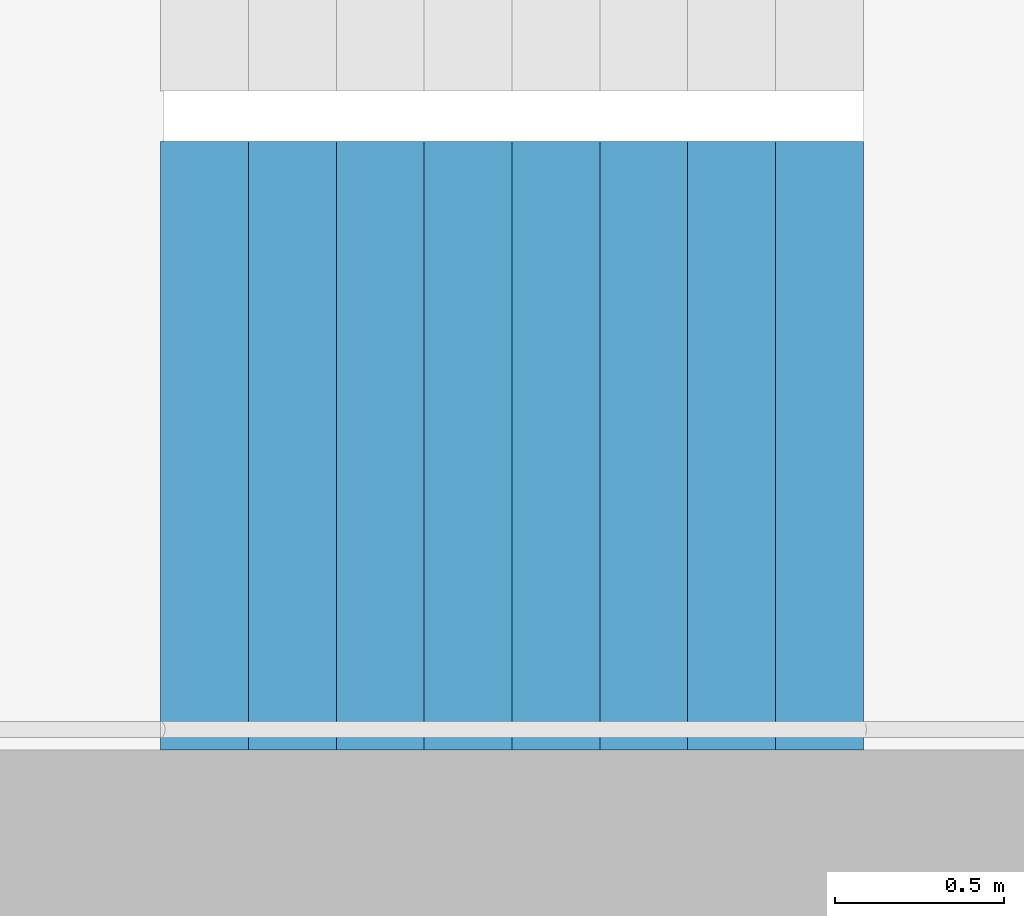
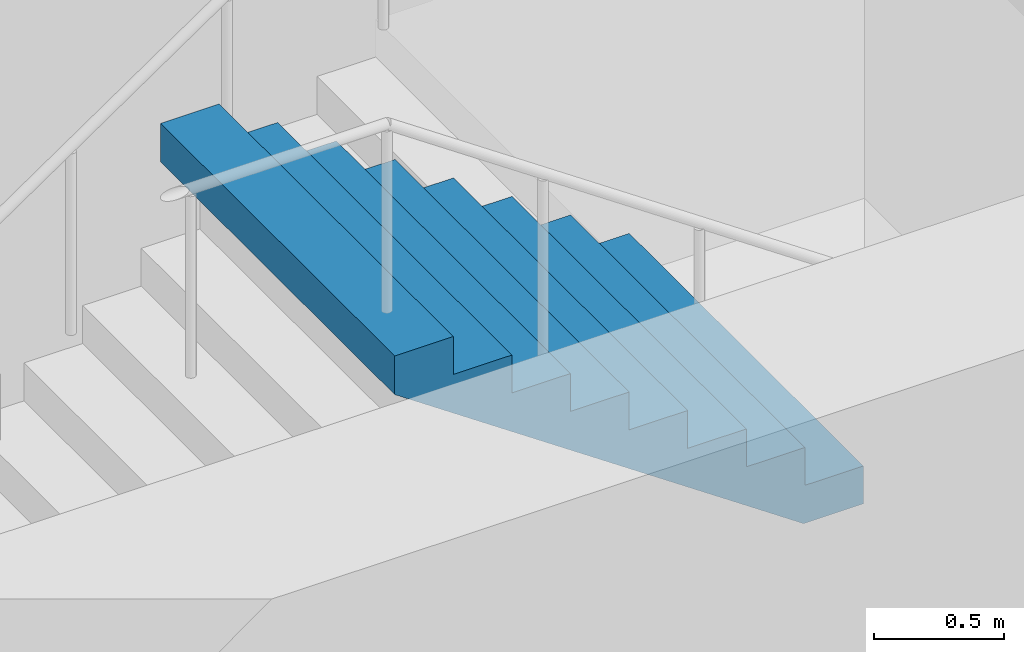
# One storey, part 24 of 35: 1 stair flight, 1 element without a shape of its own.
"""IFC4 building model written with IfcOpenShell, lengths in metres."""

from ifc_helpers import new_model, si_unit, direction, frame, origin, place, context, subcontext, project, spatial, triangles, material, type_object, element, aggregate, save


model = new_model("IFC4")

# Units and contexts
model_context = context("Model", 3, precision=1e-05, world=origin(), true_north=direction((0.0, 1.0)))
body_context = subcontext(model_context, "Body", "Model", "MODEL_VIEW")
ifc_project = project(units=[si_unit("LENGTHUNIT", "METRE"), si_unit("AREAUNIT", "SQUARE_METRE"), si_unit("VOLUMEUNIT", "CUBIC_METRE"), si_unit("PLANEANGLEUNIT", "RADIAN"), si_unit("MASSUNIT", "GRAM", prefix="KILO")], contexts=[model_context])

# Site, building, storey
site_placement = place(None, origin())
site = spatial("IfcSite", under=ifc_project, at=site_placement, CompositionType="ELEMENT")
building_placement = place(site_placement, origin())
building = spatial("IfcBuilding", under=site, at=building_placement, Name="Hakoniwa Tower and Hamabe Station Hall", CompositionType="ELEMENT")
storey_placement = place(building_placement, frame((0.0, 0.0, 51.800048828125)))
storey = spatial("IfcBuildingStorey", under=building, at=storey_placement, Name="L14", CompositionType="ELEMENT", Elevation=51.800048828125)

# Stair, stair flight
ifc_material_1 = material(Name="Concrete C40", Category="concrete")
stair_type = type_object("IfcStairType", Name="ESCAPE STAIR 1800", PredefinedType="HALF_TURN_STAIR", material=ifc_material_1)
stair_placement = place(storey_placement, origin())
stair = element("IfcStair", 1, at=stair_placement, inside=storey, type_object=stair_type, Name="Escape stair ST-4 L14", PredefinedType="HALF_TURN_STAIR")
ifc_material_2 = material(Name="Concrete C40", Category="concrete")
stair_flight_type = type_object("IfcStairFlightType", Name="STAIR FLIGHT 1800", PredefinedType="STRAIGHT", material=ifc_material_2)
stair_flight_placement = place(storey_placement, frame((25.47998046875, -6.60009765625, 1.599853515625), z_axis=(0.0, 0.0, 1.0), x_axis=(-1.0, 0.0, 0.0)))
stair_flight = element("IfcStairFlight", 2, at=stair_flight_placement, type_object=stair_flight_type, Name="ST-4 flight 2", NumberOfRisers=9, NumberOfTreads=8, PredefinedType="STRAIGHT", RiserHeight=0.177777778, TreadLength=0.26, context=body_context, shape_type="Tessellation", body=[
    triangles([(0.0, 0.89990234375, 0.0), (0.260009765625, 0.89990234375, 0.0), (0.265625, 0.89990234375, 0.0), (0.52001953125, 0.89990234375, 0.174072265625), (0.780029296875, 0.89990234375, 0.351806640625), (1.0400390625, 0.89990234375, 0.529541015625), (1.300048828125, 0.89990234375, 0.707275390625), (1.56005859375, 0.89990234375, 0.885009765625), (1.820068359375, 0.89990234375, 1.062744140625), (2.080078125, 0.89990234375, 1.24072265625), (2.080078125, 0.89990234375, 1.422119140625), (1.820068359375, 0.89990234375, 1.422119140625), (1.820068359375, 0.89990234375, 1.244384765625), (1.56005859375, 0.89990234375, 1.244384765625), (1.56005859375, 0.89990234375, 1.066650390625), (1.300048828125, 0.89990234375, 1.066650390625), (1.300048828125, 0.89990234375, 0.888916015625), (1.0400390625, 0.89990234375, 0.888916015625), (1.0400390625, 0.89990234375, 0.711181640625), (0.780029296875, 0.89990234375, 0.711181640625), (0.780029296875, 0.89990234375, 0.533447265625), (0.52001953125, 0.89990234375, 0.533447265625), (0.52001953125, 0.89990234375, 0.35546875), (0.265625, 0.89990234375, 0.35546875), (0.260009765625, 0.89990234375, 0.35546875), (0.260009765625, 0.89990234375, 0.177734375), (0.0, 0.89990234375, 0.177734375), (0.0, 0.06005859375, 0.0), (0.260009765625, 0.06005859375, 0.0), (0.265625, 0.06005859375, 0.0), (0.52001953125, 0.06005859375, 0.174072265625), (0.780029296875, 0.06005859375, 0.351806640625), (1.0400390625, 0.06005859375, 0.529541015625), (1.300048828125, 0.06005859375, 0.707275390625), (1.56005859375, 0.06005859375, 0.885009765625), (1.820068359375, 0.06005859375, 1.062744140625), (2.080078125, 0.06005859375, 1.24072265625), (2.080078125, 0.06005859375, 1.422119140625), (1.820068359375, 0.06005859375, 1.422119140625), (1.820068359375, 0.06005859375, 1.244384765625), (1.56005859375, 0.06005859375, 1.244384765625), (1.56005859375, 0.06005859375, 1.066650390625), (1.300048828125, 0.06005859375, 1.066650390625), (1.300048828125, 0.06005859375, 0.888916015625), (1.0400390625, 0.06005859375, 0.888916015625), (1.0400390625, 0.06005859375, 0.711181640625), (0.780029296875, 0.06005859375, 0.711181640625), (0.780029296875, 0.06005859375, 0.533447265625), (0.52001953125, 0.06005859375, 0.533447265625), (0.52001953125, 0.06005859375, 0.35546875), (0.265625, 0.06005859375, 0.35546875), (0.260009765625, 0.06005859375, 0.35546875), (0.260009765625, 0.06005859375, 0.177734375), (0.0, 0.06005859375, 0.177734375), (0.0, 0.04296875, 0.0), (0.260009765625, 0.04296875, 0.0), (0.265625, 0.04296875, 0.0), (0.52001953125, 0.04296875, 0.174072265625), (0.780029296875, 0.04296875, 0.351806640625), (1.0400390625, 0.04296875, 0.529541015625), (1.300048828125, 0.04296875, 0.707275390625), (1.56005859375, 0.04296875, 0.885009765625), (1.820068359375, 0.04296875, 1.062744140625), (2.080078125, 0.04296875, 1.24072265625), (2.080078125, 0.04296875, 1.422119140625), (1.820068359375, 0.04296875, 1.422119140625), (1.820068359375, 0.04296875, 1.244384765625), (1.56005859375, 0.04296875, 1.244384765625), (1.56005859375, 0.04296875, 1.066650390625), (1.300048828125, 0.04296875, 1.066650390625), (1.300048828125, 0.04296875, 0.888916015625), (1.0400390625, 0.04296875, 0.888916015625), (1.0400390625, 0.04296875, 0.711181640625), (0.780029296875, 0.04296875, 0.711181640625), (0.780029296875, 0.04296875, 0.533447265625), (0.52001953125, 0.04296875, 0.533447265625), (0.52001953125, 0.04296875, 0.35546875), (0.265625, 0.04296875, 0.35546875), (0.260009765625, 0.04296875, 0.35546875), (0.260009765625, 0.04296875, 0.177734375), (0.0, 0.04296875, 0.177734375), (0.0, 0.025634765625, 0.0), (0.260009765625, 0.025634765625, 0.0), (0.265625, 0.025634765625, 0.0), (0.52001953125, 0.025634765625, 0.174072265625), (0.780029296875, 0.025634765625, 0.351806640625), (1.0400390625, 0.025634765625, 0.529541015625), (1.300048828125, 0.025634765625, 0.707275390625), (1.56005859375, 0.025634765625, 0.885009765625), (1.820068359375, 0.025634765625, 1.062744140625), (2.080078125, 0.025634765625, 1.24072265625), (2.080078125, 0.025634765625, 1.422119140625), (1.820068359375, 0.025634765625, 1.422119140625), (1.820068359375, 0.025634765625, 1.244384765625), (1.56005859375, 0.025634765625, 1.244384765625), (1.56005859375, 0.025634765625, 1.066650390625), (1.300048828125, 0.025634765625, 1.066650390625), (1.300048828125, 0.025634765625, 0.888916015625), (1.0400390625, 0.025634765625, 0.888916015625), (1.0400390625, 0.025634765625, 0.711181640625), (0.780029296875, 0.025634765625, 0.711181640625), (0.780029296875, 0.025634765625, 0.533447265625), (0.52001953125, 0.025634765625, 0.533447265625), (0.52001953125, 0.025634765625, 0.35546875), (0.265625, 0.025634765625, 0.35546875), (0.260009765625, 0.025634765625, 0.35546875), (0.260009765625, 0.025634765625, 0.177734375), (0.0, 0.025634765625, 0.177734375), (0.0, 0.008544921875, 0.0), (0.260009765625, 0.008544921875, 0.0), (0.265625, 0.008544921875, 0.0), (0.52001953125, 0.008544921875, 0.174072265625), (0.780029296875, 0.008544921875, 0.351806640625), (1.0400390625, 0.008544921875, 0.529541015625), (1.300048828125, 0.008544921875, 0.707275390625), (1.56005859375, 0.008544921875, 0.885009765625), (1.820068359375, 0.008544921875, 1.062744140625), (2.080078125, 0.008544921875, 1.24072265625), (2.080078125, 0.008544921875, 1.422119140625), (1.820068359375, 0.008544921875, 1.422119140625), (1.820068359375, 0.008544921875, 1.244384765625), (1.56005859375, 0.008544921875, 1.244384765625), (1.56005859375, 0.008544921875, 1.066650390625), (1.300048828125, 0.008544921875, 1.066650390625), (1.300048828125, 0.008544921875, 0.888916015625), (1.0400390625, 0.008544921875, 0.888916015625), (1.0400390625, 0.008544921875, 0.711181640625), (0.780029296875, 0.008544921875, 0.711181640625), (0.780029296875, 0.008544921875, 0.533447265625), (0.52001953125, 0.008544921875, 0.533447265625), (0.52001953125, 0.008544921875, 0.35546875), (0.265625, 0.008544921875, 0.35546875), (0.260009765625, 0.008544921875, 0.35546875), (0.260009765625, 0.008544921875, 0.177734375), (0.0, 0.008544921875, 0.177734375), (0.0, -0.008544921875, 0.0), (0.260009765625, -0.008544921875, 0.0), (0.265625, -0.008544921875, 0.0), (0.52001953125, -0.008544921875, 0.174072265625), (0.780029296875, -0.008544921875, 0.351806640625), (1.0400390625, -0.008544921875, 0.529541015625), (1.300048828125, -0.008544921875, 0.707275390625), (1.56005859375, -0.008544921875, 0.885009765625), (1.820068359375, -0.008544921875, 1.062744140625), (2.080078125, -0.008544921875, 1.24072265625), (2.080078125, -0.008544921875, 1.422119140625), (1.820068359375, -0.008544921875, 1.422119140625), (1.820068359375, -0.008544921875, 1.244384765625), (1.56005859375, -0.008544921875, 1.244384765625), (1.56005859375, -0.008544921875, 1.066650390625), (1.300048828125, -0.008544921875, 1.066650390625), (1.300048828125, -0.008544921875, 0.888916015625), (1.0400390625, -0.008544921875, 0.888916015625), (1.0400390625, -0.008544921875, 0.711181640625), (0.780029296875, -0.008544921875, 0.711181640625), (0.780029296875, -0.008544921875, 0.533447265625), (0.52001953125, -0.008544921875, 0.533447265625), (0.52001953125, -0.008544921875, 0.35546875), (0.265625, -0.008544921875, 0.35546875), (0.260009765625, -0.008544921875, 0.35546875), (0.260009765625, -0.008544921875, 0.177734375), (0.0, -0.008544921875, 0.177734375), (0.0, -0.025634765625, 0.0), (0.260009765625, -0.025634765625, 0.0), (0.265625, -0.025634765625, 0.0), (0.52001953125, -0.025634765625, 0.174072265625), (0.780029296875, -0.025634765625, 0.351806640625), (1.0400390625, -0.025634765625, 0.529541015625), (1.300048828125, -0.025634765625, 0.707275390625), (1.56005859375, -0.025634765625, 0.885009765625), (1.820068359375, -0.025634765625, 1.062744140625), (2.080078125, -0.025634765625, 1.24072265625), (2.080078125, -0.025634765625, 1.422119140625), (1.820068359375, -0.025634765625, 1.422119140625), (1.820068359375, -0.025634765625, 1.244384765625), (1.56005859375, -0.025634765625, 1.244384765625), (1.56005859375, -0.025634765625, 1.066650390625), (1.300048828125, -0.025634765625, 1.066650390625), (1.300048828125, -0.025634765625, 0.888916015625), (1.0400390625, -0.025634765625, 0.888916015625), (1.0400390625, -0.025634765625, 0.711181640625), (0.780029296875, -0.025634765625, 0.711181640625), (0.780029296875, -0.025634765625, 0.533447265625), (0.52001953125, -0.025634765625, 0.533447265625), (0.52001953125, -0.025634765625, 0.35546875), (0.265625, -0.025634765625, 0.35546875), (0.260009765625, -0.025634765625, 0.35546875), (0.260009765625, -0.025634765625, 0.177734375), (0.0, -0.025634765625, 0.177734375), (0.0, -0.04296875, 0.0), (0.260009765625, -0.04296875, 0.0), (0.265625, -0.04296875, 0.0), (0.52001953125, -0.04296875, 0.174072265625), (0.780029296875, -0.04296875, 0.351806640625), (1.0400390625, -0.04296875, 0.529541015625), (1.300048828125, -0.04296875, 0.707275390625), (1.56005859375, -0.04296875, 0.885009765625), (1.820068359375, -0.04296875, 1.062744140625), (2.080078125, -0.04296875, 1.24072265625), (2.080078125, -0.04296875, 1.422119140625), (1.820068359375, -0.04296875, 1.422119140625), (1.820068359375, -0.04296875, 1.244384765625), (1.56005859375, -0.04296875, 1.244384765625), (1.56005859375, -0.04296875, 1.066650390625), (1.300048828125, -0.04296875, 1.066650390625), (1.300048828125, -0.04296875, 0.888916015625), (1.0400390625, -0.04296875, 0.888916015625), (1.0400390625, -0.04296875, 0.711181640625), (0.780029296875, -0.04296875, 0.711181640625), (0.780029296875, -0.04296875, 0.533447265625), (0.52001953125, -0.04296875, 0.533447265625), (0.52001953125, -0.04296875, 0.35546875), (0.265625, -0.04296875, 0.35546875), (0.260009765625, -0.04296875, 0.35546875), (0.260009765625, -0.04296875, 0.177734375), (0.0, -0.04296875, 0.177734375), (0.0, -0.06005859375, 0.0), (0.260009765625, -0.06005859375, 0.0), (0.265625, -0.06005859375, 0.0), (0.52001953125, -0.06005859375, 0.174072265625), (0.780029296875, -0.06005859375, 0.351806640625), (1.0400390625, -0.06005859375, 0.529541015625), (1.300048828125, -0.06005859375, 0.707275390625), (1.56005859375, -0.06005859375, 0.885009765625), (1.820068359375, -0.06005859375, 1.062744140625), (2.080078125, -0.06005859375, 1.24072265625), (2.080078125, -0.06005859375, 1.422119140625), (1.820068359375, -0.06005859375, 1.422119140625), (1.820068359375, -0.06005859375, 1.244384765625), (1.56005859375, -0.06005859375, 1.244384765625), (1.56005859375, -0.06005859375, 1.066650390625), (1.300048828125, -0.06005859375, 1.066650390625), (1.300048828125, -0.06005859375, 0.888916015625), (1.0400390625, -0.06005859375, 0.888916015625), (1.0400390625, -0.06005859375, 0.711181640625), (0.780029296875, -0.06005859375, 0.711181640625), (0.780029296875, -0.06005859375, 0.533447265625), (0.52001953125, -0.06005859375, 0.533447265625), (0.52001953125, -0.06005859375, 0.35546875), (0.265625, -0.06005859375, 0.35546875), (0.260009765625, -0.06005859375, 0.35546875), (0.260009765625, -0.06005859375, 0.177734375), (0.0, -0.06005859375, 0.177734375), (0.0, -0.89990234375, 0.0), (0.260009765625, -0.89990234375, 0.0), (0.265625, -0.89990234375, 0.0), (0.52001953125, -0.89990234375, 0.174072265625), (0.780029296875, -0.89990234375, 0.351806640625), (1.0400390625, -0.89990234375, 0.529541015625), (1.300048828125, -0.89990234375, 0.707275390625), (1.56005859375, -0.89990234375, 0.885009765625), (1.820068359375, -0.89990234375, 1.062744140625), (2.080078125, -0.89990234375, 1.24072265625), (2.080078125, -0.89990234375, 1.422119140625), (1.820068359375, -0.89990234375, 1.422119140625), (1.820068359375, -0.89990234375, 1.244384765625), (1.56005859375, -0.89990234375, 1.244384765625), (1.56005859375, -0.89990234375, 1.066650390625), (1.300048828125, -0.89990234375, 1.066650390625), (1.300048828125, -0.89990234375, 0.888916015625), (1.0400390625, -0.89990234375, 0.888916015625), (1.0400390625, -0.89990234375, 0.711181640625), (0.780029296875, -0.89990234375, 0.711181640625), (0.780029296875, -0.89990234375, 0.533447265625), (0.52001953125, -0.89990234375, 0.533447265625), (0.52001953125, -0.89990234375, 0.35546875), (0.265625, -0.89990234375, 0.35546875), (0.260009765625, -0.89990234375, 0.35546875), (0.260009765625, -0.89990234375, 0.177734375), (0.0, -0.89990234375, 0.177734375)], [[2, 27, 26], [245, 269, 270], [2, 1, 27], [245, 270, 244], [3, 25, 24], [246, 267, 268], [3, 26, 25], [246, 268, 269], [3, 2, 26], [246, 269, 245], [4, 24, 23], [247, 266, 267], [4, 3, 24], [247, 267, 246], [5, 22, 21], [248, 264, 265], [5, 23, 22], [248, 265, 266], [5, 4, 23], [248, 266, 247], [6, 20, 19], [249, 262, 263], [6, 21, 20], [249, 263, 264], [6, 5, 21], [249, 264, 248], [7, 18, 17], [250, 260, 261], [7, 19, 18], [250, 261, 262], [7, 6, 19], [250, 262, 249], [8, 16, 15], [251, 258, 259], [8, 17, 16], [251, 259, 260], [8, 7, 17], [251, 260, 250], [9, 14, 13], [252, 256, 257], [9, 15, 14], [252, 257, 258], [9, 8, 15], [252, 258, 251], [10, 12, 11], [253, 254, 255], [10, 13, 12], [253, 255, 256], [10, 9, 13], [253, 256, 252], [1, 2, 29], [1, 29, 28], [28, 29, 56], [28, 56, 55], [55, 56, 83], [55, 83, 82], [82, 83, 110], [82, 110, 109], [109, 110, 137], [109, 137, 136], [136, 137, 164], [136, 164, 163], [163, 164, 191], [163, 191, 190], [190, 191, 218], [190, 218, 217], [217, 218, 245], [217, 245, 244], [2, 3, 30], [2, 30, 29], [29, 30, 57], [29, 57, 56], [56, 57, 84], [56, 84, 83], [83, 84, 111], [83, 111, 110], [110, 111, 138], [110, 138, 137], [137, 138, 165], [137, 165, 164], [164, 165, 192], [164, 192, 191], [191, 192, 219], [191, 219, 218], [218, 219, 246], [218, 246, 245], [3, 4, 31], [3, 31, 30], [30, 31, 58], [30, 58, 57], [57, 58, 85], [57, 85, 84], [84, 85, 112], [84, 112, 111], [111, 112, 139], [111, 139, 138], [138, 139, 166], [138, 166, 165], [165, 166, 193], [165, 193, 192], [192, 193, 220], [192, 220, 219], [219, 220, 247], [219, 247, 246], [4, 5, 32], [4, 32, 31], [31, 32, 59], [31, 59, 58], [58, 59, 86], [58, 86, 85], [85, 86, 113], [85, 113, 112], [112, 113, 140], [112, 140, 139], [139, 140, 167], [139, 167, 166], [166, 167, 194], [166, 194, 193], [193, 194, 221], [193, 221, 220], [220, 221, 248], [220, 248, 247], [5, 6, 33], [5, 33, 32], [32, 33, 60], [32, 60, 59], [59, 60, 87], [59, 87, 86], [86, 87, 114], [86, 114, 113], [113, 114, 141], [113, 141, 140], [140, 141, 168], [140, 168, 167], [167, 168, 195], [167, 195, 194], [194, 195, 222], [194, 222, 221], [221, 222, 249], [221, 249, 248], [6, 7, 34], [6, 34, 33], [33, 34, 61], [33, 61, 60], [60, 61, 88], [60, 88, 87], [87, 88, 115], [87, 115, 114], [114, 115, 142], [114, 142, 141], [141, 142, 169], [141, 169, 168], [168, 169, 196], [168, 196, 195], [195, 196, 223], [195, 223, 222], [222, 223, 250], [222, 250, 249], [7, 8, 35], [7, 35, 34], [34, 35, 62], [34, 62, 61], [61, 62, 89], [61, 89, 88], [88, 89, 116], [88, 116, 115], [115, 116, 143], [115, 143, 142], [142, 143, 170], [142, 170, 169], [169, 170, 197], [169, 197, 196], [196, 197, 224], [196, 224, 223], [223, 224, 251], [223, 251, 250], [8, 9, 36], [8, 36, 35], [35, 36, 63], [35, 63, 62], [62, 63, 90], [62, 90, 89], [89, 90, 117], [89, 117, 116], [116, 117, 144], [116, 144, 143], [143, 144, 171], [143, 171, 170], [170, 171, 198], [170, 198, 197], [197, 198, 225], [197, 225, 224], [224, 225, 252], [224, 252, 251], [9, 10, 37], [9, 37, 36], [36, 37, 64], [36, 64, 63], [63, 64, 91], [63, 91, 90], [90, 91, 118], [90, 118, 117], [117, 118, 145], [117, 145, 144], [144, 145, 172], [144, 172, 171], [171, 172, 199], [171, 199, 198], [198, 199, 226], [198, 226, 225], [225, 226, 253], [225, 253, 252], [10, 11, 38], [10, 38, 37], [37, 38, 65], [37, 65, 64], [64, 65, 92], [64, 92, 91], [91, 92, 119], [91, 119, 118], [118, 119, 146], [118, 146, 145], [145, 146, 173], [145, 173, 172], [172, 173, 200], [172, 200, 199], [199, 200, 227], [199, 227, 226], [226, 227, 254], [226, 254, 253], [11, 12, 39], [11, 39, 38], [38, 39, 66], [38, 66, 65], [65, 66, 93], [65, 93, 92], [92, 93, 120], [92, 120, 119], [119, 120, 147], [119, 147, 146], [146, 147, 174], [146, 174, 173], [173, 174, 201], [173, 201, 200], [200, 201, 228], [200, 228, 227], [227, 228, 255], [227, 255, 254], [12, 13, 40], [12, 40, 39], [39, 40, 67], [39, 67, 66], [66, 67, 94], [66, 94, 93], [93, 94, 121], [93, 121, 120], [120, 121, 148], [120, 148, 147], [147, 148, 175], [147, 175, 174], [174, 175, 202], [174, 202, 201], [201, 202, 229], [201, 229, 228], [228, 229, 256], [228, 256, 255], [13, 14, 41], [13, 41, 40], [40, 41, 68], [40, 68, 67], [67, 68, 95], [67, 95, 94], [94, 95, 122], [94, 122, 121], [121, 122, 149], [121, 149, 148], [148, 149, 176], [148, 176, 175], [175, 176, 203], [175, 203, 202], [202, 203, 230], [202, 230, 229], [229, 230, 257], [229, 257, 256], [14, 15, 42], [14, 42, 41], [41, 42, 69], [41, 69, 68], [68, 69, 96], [68, 96, 95], [95, 96, 123], [95, 123, 122], [122, 123, 150], [122, 150, 149], [149, 150, 177], [149, 177, 176], [176, 177, 204], [176, 204, 203], [203, 204, 231], [203, 231, 230], [230, 231, 258], [230, 258, 257], [15, 16, 43], [15, 43, 42], [42, 43, 70], [42, 70, 69], [69, 70, 97], [69, 97, 96], [96, 97, 124], [96, 124, 123], [123, 124, 151], [123, 151, 150], [150, 151, 178], [150, 178, 177], [177, 178, 205], [177, 205, 204], [204, 205, 232], [204, 232, 231], [231, 232, 259], [231, 259, 258], [16, 17, 44], [16, 44, 43], [43, 44, 71], [43, 71, 70], [70, 71, 98], [70, 98, 97], [97, 98, 125], [97, 125, 124], [124, 125, 152], [124, 152, 151], [151, 152, 179], [151, 179, 178], [178, 179, 206], [178, 206, 205], [205, 206, 233], [205, 233, 232], [232, 233, 260], [232, 260, 259], [17, 18, 45], [17, 45, 44], [44, 45, 72], [44, 72, 71], [71, 72, 99], [71, 99, 98], [98, 99, 126], [98, 126, 125], [125, 126, 153], [125, 153, 152], [152, 153, 180], [152, 180, 179], [179, 180, 207], [179, 207, 206], [206, 207, 234], [206, 234, 233], [233, 234, 261], [233, 261, 260], [18, 19, 46], [18, 46, 45], [45, 46, 73], [45, 73, 72], [72, 73, 100], [72, 100, 99], [99, 100, 127], [99, 127, 126], [126, 127, 154], [126, 154, 153], [153, 154, 181], [153, 181, 180], [180, 181, 208], [180, 208, 207], [207, 208, 235], [207, 235, 234], [234, 235, 262], [234, 262, 261], [19, 20, 47], [19, 47, 46], [46, 47, 74], [46, 74, 73], [73, 74, 101], [73, 101, 100], [100, 101, 128], [100, 128, 127], [127, 128, 155], [127, 155, 154], [154, 155, 182], [154, 182, 181], [181, 182, 209], [181, 209, 208], [208, 209, 236], [208, 236, 235], [235, 236, 263], [235, 263, 262], [20, 21, 48], [20, 48, 47], [47, 48, 75], [47, 75, 74], [74, 75, 102], [74, 102, 101], [101, 102, 129], [101, 129, 128], [128, 129, 156], [128, 156, 155], [155, 156, 183], [155, 183, 182], [182, 183, 210], [182, 210, 209], [209, 210, 237], [209, 237, 236], [236, 237, 264], [236, 264, 263], [21, 22, 49], [21, 49, 48], [48, 49, 76], [48, 76, 75], [75, 76, 103], [75, 103, 102], [102, 103, 130], [102, 130, 129], [129, 130, 157], [129, 157, 156], [156, 157, 184], [156, 184, 183], [183, 184, 211], [183, 211, 210], [210, 211, 238], [210, 238, 237], [237, 238, 265], [237, 265, 264], [22, 23, 50], [22, 50, 49], [49, 50, 77], [49, 77, 76], [76, 77, 104], [76, 104, 103], [103, 104, 131], [103, 131, 130], [130, 131, 158], [130, 158, 157], [157, 158, 185], [157, 185, 184], [184, 185, 212], [184, 212, 211], [211, 212, 239], [211, 239, 238], [238, 239, 266], [238, 266, 265], [23, 24, 51], [23, 51, 50], [50, 51, 78], [50, 78, 77], [77, 78, 105], [77, 105, 104], [104, 105, 132], [104, 132, 131], [131, 132, 159], [131, 159, 158], [158, 159, 186], [158, 186, 185], [185, 186, 213], [185, 213, 212], [212, 213, 240], [212, 240, 239], [239, 240, 267], [239, 267, 266], [24, 25, 52], [24, 52, 51], [51, 52, 79], [51, 79, 78], [78, 79, 106], [78, 106, 105], [105, 106, 133], [105, 133, 132], [132, 133, 160], [132, 160, 159], [159, 160, 187], [159, 187, 186], [186, 187, 214], [186, 214, 213], [213, 214, 241], [213, 241, 240], [240, 241, 268], [240, 268, 267], [25, 26, 53], [25, 53, 52], [52, 53, 80], [52, 80, 79], [79, 80, 107], [79, 107, 106], [106, 107, 134], [106, 134, 133], [133, 134, 161], [133, 161, 160], [160, 161, 188], [160, 188, 187], [187, 188, 215], [187, 215, 214], [214, 215, 242], [214, 242, 241], [241, 242, 269], [241, 269, 268], [26, 27, 54], [26, 54, 53], [53, 54, 81], [53, 81, 80], [80, 81, 108], [80, 108, 107], [107, 108, 135], [107, 135, 134], [134, 135, 162], [134, 162, 161], [161, 162, 189], [161, 189, 188], [188, 189, 216], [188, 216, 215], [215, 216, 243], [215, 243, 242], [242, 243, 270], [242, 270, 269], [27, 1, 28], [27, 28, 54], [54, 28, 55], [54, 55, 81], [81, 55, 82], [81, 82, 108], [108, 82, 109], [108, 109, 135], [135, 109, 136], [135, 136, 162], [162, 136, 163], [162, 163, 189], [189, 163, 190], [189, 190, 216], [216, 190, 217], [216, 217, 243], [243, 217, 244], [243, 244, 270]], closed=True),
])
aggregate(stair, [stair_flight])

save(model, "model.ifc")
